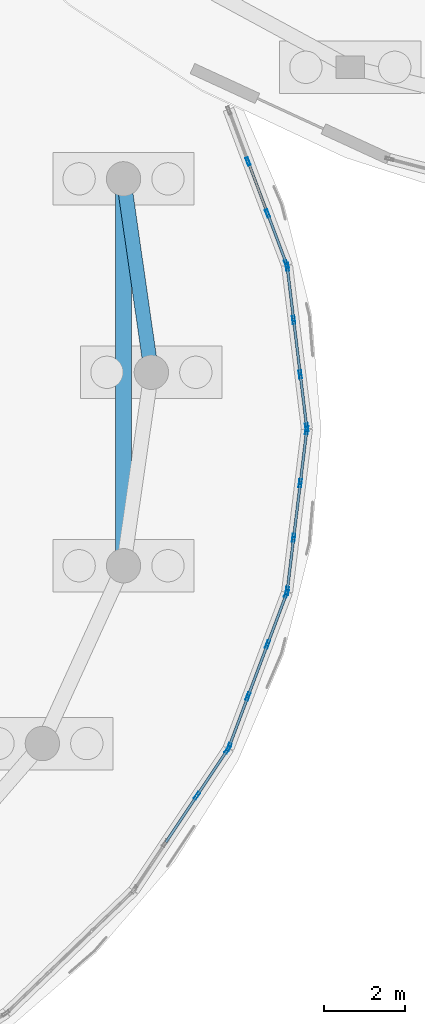
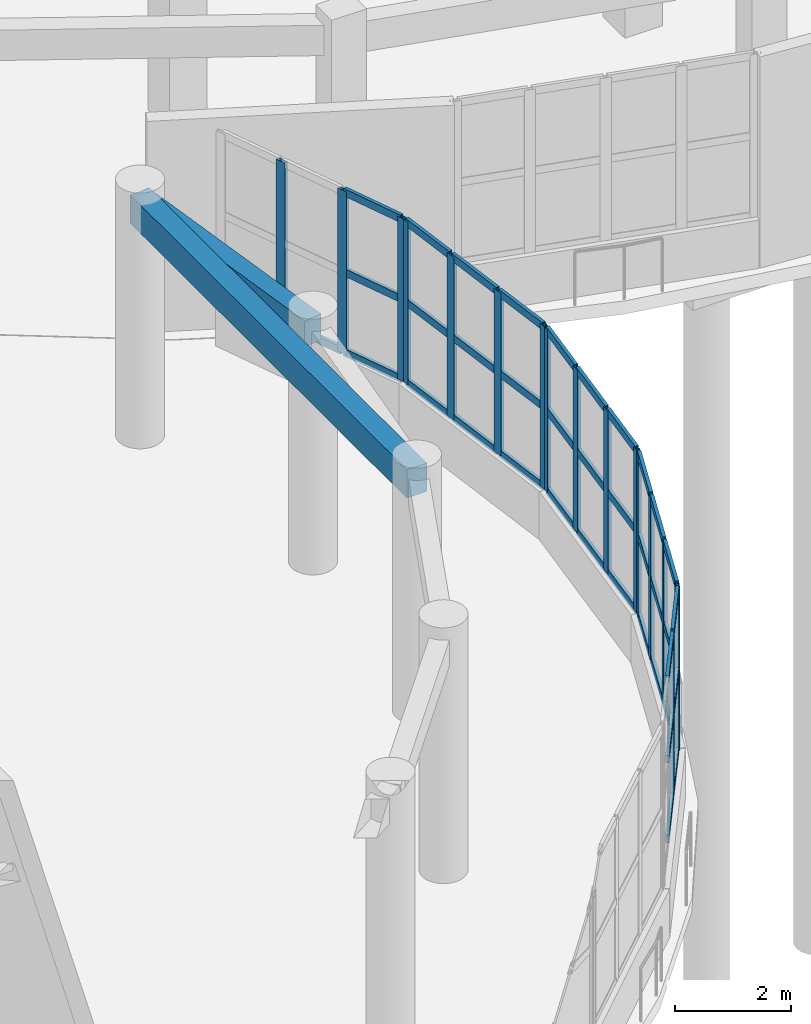
# One storey, part 30 of 96: 54 members, 2 beams, 5 elements without a shape of their own.
"""IFC4 building model written with IfcOpenShell, lengths in metres."""

from ifc_helpers import new_model, si_unit, direction, frame, origin, origin_2d, place, context, subcontext, project, spatial, rectangle, hollow_rectangle, extrude, material, layer, layer_set, material_profile, profile_set, type_object, element, aggregate, save


model = new_model("IFC4")

# Units and contexts
model_context = context("Model", 3, precision=1e-05, world=origin(), true_north=direction((0.0, 1.0)))
body_context = subcontext(model_context, "Body", "Model", "MODEL_VIEW")
ifc_project = project(units=[si_unit("LENGTHUNIT", "METRE"), si_unit("AREAUNIT", "SQUARE_METRE"), si_unit("VOLUMEUNIT", "CUBIC_METRE"), si_unit("PLANEANGLEUNIT", "RADIAN"), si_unit("MASSUNIT", "GRAM", prefix="KILO")], contexts=[model_context])

# Site, building, storey
site_placement = place(None, origin())
site = spatial("IfcSite", under=ifc_project, at=site_placement, CompositionType="ELEMENT")
building_placement = place(site_placement, origin())
building = spatial("IfcBuilding", under=site, at=building_placement, Name="Pelvatis Terrace Science Centre", CompositionType="ELEMENT")
storey_placement = place(building_placement, origin())
storey = spatial("IfcBuildingStorey", under=building, at=storey_placement, Name="L00", CompositionType="ELEMENT", Elevation=0.0)

# Beams
ifc_material_1 = material(Name="Concrete C35/45", Category="concrete")
ifc_material_profile_1 = material_profile(ifc_material_1, rectangle(XDim=0.360107421875, YDim=0.550048828125, at=origin_2d()), Name="RC-BM 360x550")
ifc_profile_set_1 = profile_set([ifc_material_profile_1], Name="Concrete C35/45")
beam_type_1 = type_object("IfcBeamType", Name="BM-RC-360x550", PredefinedType="BEAM", material=ifc_profile_set_1)
beam_1_placement = place(storey_placement, frame((95.0, 54.60009765625, 4.864990234375), z_axis=(-0.142339615489, 0.989817879139, 0.0), x_axis=(-0.989817879139, -0.142339615489, 0.0)))
element("IfcBeam", 1, at=beam_1_placement, inside=storey, type_object=beam_type_1, Name="Beam BM-L00-2202", PredefinedType="BEAM", context=body_context, shape_type="SweptSolid", body=[
    extrude(rectangle(XDim=0.360107421875, YDim=0.550048828125, at=origin_2d()), origin(), (0.0, 0.0, 1.0), 4.838623046875),
])
ifc_material_2 = material(Name="Concrete C35/45", Category="concrete")
ifc_material_profile_2 = material_profile(ifc_material_2, rectangle(XDim=0.39990234375, YDim=0.60009765625, at=origin_2d()), Name="RC-BM 400x600")
ifc_profile_set_2 = profile_set([ifc_material_profile_2], Name="Concrete C35/45")
beam_type_2 = type_object("IfcBeamType", Name="BM-RC-400x600", PredefinedType="BEAM", material=ifc_profile_set_2)
beam_2_placement = place(storey_placement, frame((94.311279296875, 59.389404296875, 4.840087890625), z_axis=(0.0, -1.0, 0.0), x_axis=(1.0, 0.0, 0.0)))
element("IfcBeam", 2, at=beam_2_placement, inside=storey, type_object=beam_type_2, Name="Beam BM-L00-2204", PredefinedType="BEAM", context=body_context, shape_type="SweptSolid", body=[
    extrude(rectangle(XDim=0.39990234375, YDim=0.60009765625, at=origin_2d()), origin(), (0.0, 0.0, 1.0), 9.578857421875),
])

# Curtain wall, members
ifc_material_3 = material(Name="Bronze-anodised aluminium and laminated glass", Category="aluminium")
ifc_layer = layer(ifc_material_3, 0.199951171875)
ifc_layer_set = layer_set([ifc_layer], Name="Bronze-anodised aluminium and laminated glass")
curtain_wall_type = type_object("IfcCurtainWallType", Name="CW-RIBBON-B", PredefinedType="NOTDEFINED", material=ifc_layer_set)
curtain_wall_1_placement = place(storey_placement, origin())
curtain_wall_1 = element("IfcCurtainWall", 3, at=curtain_wall_1_placement, inside=storey, type_object=curtain_wall_type, Name="Ribbon curtain wall CW-043 (L00)", PredefinedType="NOTDEFINED")
ifc_material_4 = material(Name="Bronze-anodised aluminium 6063-T6", Category="aluminium")
ifc_material_profile_3 = material_profile(ifc_material_4, hollow_rectangle(XDim=0.06494140625, YDim=0.199951171875, WallThickness=0.00439453125, at=origin_2d()), Name="ALU-MUL 65x200")
ifc_profile_set_3 = profile_set([ifc_material_profile_3], Name="Bronze-anodised aluminium 6063-T6")
member_type_1 = type_object("IfcMemberType", Name="CWM-65x200", PredefinedType="MULLION", material=ifc_profile_set_3)
member_1_placement = place(storey_placement, frame((98.84619140625, 53.232177734375, 1.02001953125), z_axis=(0.0, 0.0, 1.0), x_axis=(-0.992721157923, -0.120435470735, 0.0)))
member_1 = element("IfcMember", 4, at=member_1_placement, type_object=member_type_1, Name="CW-043 mullion 1", PredefinedType="MULLION", context=body_context, shape_type="SweptSolid", body=[
    extrude(hollow_rectangle(XDim=0.06494140625, YDim=0.199951171875, WallThickness=0.00439453125, at=origin_2d()), origin(), (0.0, 0.0, 1.0), 3.43994140625),
])
member_2_placement = place(storey_placement, frame((98.6865234375, 54.5478515625, 1.02001953125), z_axis=(0.0, 0.0, 1.0), x_axis=(-0.992721157923, -0.120435470735, 0.0)))
member_2 = element("IfcMember", 5, at=member_2_placement, type_object=member_type_1, Name="CW-043 mullion 2", PredefinedType="MULLION", context=body_context, shape_type="SweptSolid", body=[
    extrude(hollow_rectangle(XDim=0.06494140625, YDim=0.199951171875, WallThickness=0.00439453125, at=origin_2d()), origin(), (0.0, 0.0, 1.0), 3.43994140625),
])
member_3_placement = place(storey_placement, frame((98.52294921875, 55.89599609375, 1.02001953125), z_axis=(0.0, 0.0, 1.0), x_axis=(-0.992721157923, -0.120435470735, 0.0)))
member_3 = element("IfcMember", 6, at=member_3_placement, type_object=member_type_1, Name="CW-043 mullion 3", PredefinedType="MULLION", context=body_context, shape_type="SweptSolid", body=[
    extrude(hollow_rectangle(XDim=0.06494140625, YDim=0.199951171875, WallThickness=0.00439453125, at=origin_2d()), origin(), (0.0, 0.0, 1.0), 3.43994140625),
])
member_4_placement = place(storey_placement, frame((98.36328125, 57.211669921875, 1.02001953125), z_axis=(0.0, 0.0, 1.0), x_axis=(-0.992721157923, -0.120435470735, 0.0)))
member_4 = element("IfcMember", 7, at=member_4_placement, type_object=member_type_1, Name="CW-043 mullion 4", PredefinedType="MULLION", context=body_context, shape_type="SweptSolid", body=[
    extrude(hollow_rectangle(XDim=0.06494140625, YDim=0.199951171875, WallThickness=0.00439453125, at=origin_2d()), origin(), (0.0, 0.0, 1.0), 3.43994140625),
])

curtain_wall_2_placement = place(storey_placement, origin())
curtain_wall_2 = element("IfcCurtainWall", 8, at=curtain_wall_2_placement, inside=storey, type_object=curtain_wall_type, Name="Ribbon curtain wall CW-044 (L00)", PredefinedType="NOTDEFINED")
member_5_placement = place(storey_placement, frame((98.347900390625, 57.2744140625, 1.02001953125), z_axis=(0.0, 0.0, 1.0), x_axis=(-0.936318231775, -0.351152628988, 0.0)))
member_5 = element("IfcMember", 9, at=member_5_placement, type_object=member_type_1, Name="CW-044 mullion 1", PredefinedType="MULLION", context=body_context, shape_type="SweptSolid", body=[
    extrude(hollow_rectangle(XDim=0.06494140625, YDim=0.199951171875, WallThickness=0.00439453125, at=origin_2d()), origin(), (0.0, 0.0, 1.0), 3.43994140625),
])
member_6_placement = place(storey_placement, frame((97.8759765625, 58.532958984375, 1.02001953125), z_axis=(0.0, 0.0, 1.0), x_axis=(-0.936318231775, -0.351152628988, 0.0)))
member_6 = element("IfcMember", 10, at=member_6_placement, type_object=member_type_1, Name="CW-044 mullion 2", PredefinedType="MULLION", context=body_context, shape_type="SweptSolid", body=[
    extrude(hollow_rectangle(XDim=0.06494140625, YDim=0.199951171875, WallThickness=0.00439453125, at=origin_2d()), origin(), (0.0, 0.0, 1.0), 3.43994140625),
])
member_7_placement = place(storey_placement, frame((97.392578125, 59.822021484375, 1.02001953125), z_axis=(0.0, 0.0, 1.0), x_axis=(-0.936318231775, -0.351152628988, 0.0)))
member_7 = element("IfcMember", 11, at=member_7_placement, type_object=member_type_1, Name="CW-044 mullion 3", PredefinedType="MULLION", context=body_context, shape_type="SweptSolid", body=[
    extrude(hollow_rectangle(XDim=0.06494140625, YDim=0.199951171875, WallThickness=0.00439453125, at=origin_2d()), origin(), (0.0, 0.0, 1.0), 3.43994140625),
])

curtain_wall_3_placement = place(storey_placement, origin())
curtain_wall_3 = element("IfcCurtainWall", 12, at=curtain_wall_3_placement, inside=storey, type_object=curtain_wall_type, Name="Ribbon curtain wall CW-057 (L00)", PredefinedType="NOTDEFINED")
member_8_placement = place(storey_placement, frame((96.126953125, 44.115234375, 1.02001953125), z_axis=(0.0, 0.0, 1.0), x_axis=(-0.832148441606, 0.554552947095, 0.0)))
member_8 = element("IfcMember", 13, at=member_8_placement, type_object=member_type_1, Name="CW-057 mullion 3", PredefinedType="MULLION", context=body_context, shape_type="SweptSolid", body=[
    extrude(hollow_rectangle(XDim=0.06494140625, YDim=0.199951171875, WallThickness=0.00439453125, at=origin_2d()), origin(), (0.0, 0.0, 1.0), 3.43994140625),
])
member_9_placement = place(storey_placement, frame((96.89111328125, 45.261962890625, 1.02001953125), z_axis=(0.0, 0.0, 1.0), x_axis=(-0.832148441606, 0.554552947095, 0.0)))
member_9 = element("IfcMember", 14, at=member_9_placement, type_object=member_type_1, Name="CW-057 mullion 4", PredefinedType="MULLION", context=body_context, shape_type="SweptSolid", body=[
    extrude(hollow_rectangle(XDim=0.06494140625, YDim=0.199951171875, WallThickness=0.00439453125, at=origin_2d()), origin(), (0.0, 0.0, 1.0), 3.43994140625),
])

curtain_wall_4_placement = place(storey_placement, origin())
curtain_wall_4 = element("IfcCurtainWall", 15, at=curtain_wall_4_placement, inside=storey, type_object=curtain_wall_type, Name="Ribbon curtain wall CW-058 (L00)", PredefinedType="NOTDEFINED")
member_10_placement = place(storey_placement, frame((96.92041015625, 45.3193359375, 1.02001953125), z_axis=(0.0, 0.0, 1.0), x_axis=(-0.936318231775, 0.351152628988, 0.0)))
member_10 = element("IfcMember", 16, at=member_10_placement, type_object=member_type_1, Name="CW-058 mullion 1", PredefinedType="MULLION", context=body_context, shape_type="SweptSolid", body=[
    extrude(hollow_rectangle(XDim=0.06494140625, YDim=0.199951171875, WallThickness=0.00439453125, at=origin_2d()), origin(), (0.0, 0.0, 1.0), 3.43994140625),
])
member_11_placement = place(storey_placement, frame((97.392578125, 46.578125, 1.02001953125), z_axis=(0.0, 0.0, 1.0), x_axis=(-0.936318231775, 0.351152628988, 0.0)))
member_11 = element("IfcMember", 17, at=member_11_placement, type_object=member_type_1, Name="CW-058 mullion 2", PredefinedType="MULLION", context=body_context, shape_type="SweptSolid", body=[
    extrude(hollow_rectangle(XDim=0.06494140625, YDim=0.199951171875, WallThickness=0.00439453125, at=origin_2d()), origin(), (0.0, 0.0, 1.0), 3.43994140625),
])
member_12_placement = place(storey_placement, frame((97.8759765625, 47.8671875, 1.02001953125), z_axis=(0.0, 0.0, 1.0), x_axis=(-0.936318231775, 0.351152628988, 0.0)))
member_12 = element("IfcMember", 18, at=member_12_placement, type_object=member_type_1, Name="CW-058 mullion 3", PredefinedType="MULLION", context=body_context, shape_type="SweptSolid", body=[
    extrude(hollow_rectangle(XDim=0.06494140625, YDim=0.199951171875, WallThickness=0.00439453125, at=origin_2d()), origin(), (0.0, 0.0, 1.0), 3.43994140625),
])
member_13_placement = place(storey_placement, frame((98.347900390625, 49.125732421875, 1.02001953125), z_axis=(0.0, 0.0, 1.0), x_axis=(-0.936318231775, 0.351152628988, 0.0)))
member_13 = element("IfcMember", 19, at=member_13_placement, type_object=member_type_1, Name="CW-058 mullion 4", PredefinedType="MULLION", context=body_context, shape_type="SweptSolid", body=[
    extrude(hollow_rectangle(XDim=0.06494140625, YDim=0.199951171875, WallThickness=0.00439453125, at=origin_2d()), origin(), (0.0, 0.0, 1.0), 3.43994140625),
])

curtain_wall_5_placement = place(storey_placement, origin())
curtain_wall_5 = element("IfcCurtainWall", 20, at=curtain_wall_5_placement, inside=storey, type_object=curtain_wall_type, Name="Ribbon curtain wall CW-059 (L00)", PredefinedType="NOTDEFINED")
member_14_placement = place(storey_placement, frame((98.36328125, 49.1884765625, 1.02001953125), z_axis=(0.0, 0.0, 1.0), x_axis=(-0.992721157923, 0.120435470735, 0.0)))
member_14 = element("IfcMember", 21, at=member_14_placement, type_object=member_type_1, Name="CW-059 mullion 1", PredefinedType="MULLION", context=body_context, shape_type="SweptSolid", body=[
    extrude(hollow_rectangle(XDim=0.06494140625, YDim=0.199951171875, WallThickness=0.00439453125, at=origin_2d()), origin(), (0.0, 0.0, 1.0), 3.43994140625),
])
member_15_placement = place(storey_placement, frame((98.52294921875, 50.504150390625, 1.02001953125), z_axis=(0.0, 0.0, 1.0), x_axis=(-0.992721157923, 0.120435470735, 0.0)))
member_15 = element("IfcMember", 22, at=member_15_placement, type_object=member_type_1, Name="CW-059 mullion 2", PredefinedType="MULLION", context=body_context, shape_type="SweptSolid", body=[
    extrude(hollow_rectangle(XDim=0.06494140625, YDim=0.199951171875, WallThickness=0.00439453125, at=origin_2d()), origin(), (0.0, 0.0, 1.0), 3.43994140625),
])
member_16_placement = place(storey_placement, frame((98.6865234375, 51.85205078125, 1.02001953125), z_axis=(0.0, 0.0, 1.0), x_axis=(-0.992721157923, 0.120435470735, 0.0)))
member_16 = element("IfcMember", 23, at=member_16_placement, type_object=member_type_1, Name="CW-059 mullion 3", PredefinedType="MULLION", context=body_context, shape_type="SweptSolid", body=[
    extrude(hollow_rectangle(XDim=0.06494140625, YDim=0.199951171875, WallThickness=0.00439453125, at=origin_2d()), origin(), (0.0, 0.0, 1.0), 3.43994140625),
])
member_17_placement = place(storey_placement, frame((98.84619140625, 53.167724609375, 1.02001953125), z_axis=(0.0, 0.0, 1.0), x_axis=(-0.992721157923, 0.120435470735, 0.0)))
member_17 = element("IfcMember", 24, at=member_17_placement, type_object=member_type_1, Name="CW-059 mullion 4", PredefinedType="MULLION", context=body_context, shape_type="SweptSolid", body=[
    extrude(hollow_rectangle(XDim=0.06494140625, YDim=0.199951171875, WallThickness=0.00439453125, at=origin_2d()), origin(), (0.0, 0.0, 1.0), 3.43994140625),
])

# Member
ifc_material_5 = material(Name="Bronze-anodised aluminium 6063-T6", Category="aluminium")
ifc_material_profile_4 = material_profile(ifc_material_5, hollow_rectangle(XDim=0.06494140625, YDim=0.159912109375, WallThickness=0.00390625, at=origin_2d()), Name="ALU-TRN 65x160")
ifc_profile_set_4 = profile_set([ifc_material_profile_4], Name="Bronze-anodised aluminium 6063-T6")
member_type_2 = type_object("IfcMemberType", Name="CWT-65x160", PredefinedType="USERDEFINED", material=ifc_profile_set_4)
member_18_placement = place(storey_placement, frame((98.84228515625, 53.2646484375, 1.052490234375), z_axis=(-0.120504940764, 0.992712727455, 0.0), x_axis=(-0.992712727455, -0.120504940764, 0.0)))
member_18 = element("IfcMember", 25, at=member_18_placement, type_object=member_type_2, Name="CW-043 transom 1.1", ObjectType="TRANSOM", PredefinedType="USERDEFINED", context=body_context, shape_type="SweptSolid", body=[
    extrude(hollow_rectangle(XDim=0.06494140625, YDim=0.159912109375, WallThickness=0.00390625, at=origin_2d()), origin(), (0.0, 0.0, 1.0), 1.26025390625),
])

member_19_placement = place(storey_placement, frame((98.84228515625, 53.2646484375, 2.739990234375), z_axis=(-0.120504940764, 0.992712727455, 0.0), x_axis=(-0.992712727455, -0.120504940764, 0.0)))
member_19 = element("IfcMember", 26, at=member_19_placement, type_object=member_type_2, Name="CW-043 transom 1.2", ObjectType="TRANSOM", PredefinedType="USERDEFINED", context=body_context, shape_type="SweptSolid", body=[
    extrude(hollow_rectangle(XDim=0.06494140625, YDim=0.159912109375, WallThickness=0.00390625, at=origin_2d()), origin(), (0.0, 0.0, 1.0), 1.26025390625),
])

member_20_placement = place(storey_placement, frame((98.84228515625, 53.2646484375, 4.427490234375), z_axis=(-0.120504940764, 0.992712727455, 0.0), x_axis=(-0.992712727455, -0.120504940764, 0.0)))
member_20 = element("IfcMember", 27, at=member_20_placement, type_object=member_type_2, Name="CW-043 transom 1.3", ObjectType="TRANSOM", PredefinedType="USERDEFINED", context=body_context, shape_type="SweptSolid", body=[
    extrude(hollow_rectangle(XDim=0.06494140625, YDim=0.159912109375, WallThickness=0.00390625, at=origin_2d()), origin(), (0.0, 0.0, 1.0), 1.26025390625),
])

member_21_placement = place(storey_placement, frame((98.6826171875, 54.580322265625, 1.052490234375), z_axis=(-0.120477992567, 0.992715998313, 0.0), x_axis=(-0.992715998313, -0.120477992567, 0.0)))
member_21 = element("IfcMember", 28, at=member_21_placement, type_object=member_type_2, Name="CW-043 transom 2.1", ObjectType="TRANSOM", PredefinedType="USERDEFINED", context=body_context, shape_type="SweptSolid", body=[
    extrude(hollow_rectangle(XDim=0.06494140625, YDim=0.159912109375, WallThickness=0.00390625, at=origin_2d()), origin(), (0.0, 0.0, 1.0), 1.29296875),
])

member_22_placement = place(storey_placement, frame((98.6826171875, 54.580322265625, 2.739990234375), z_axis=(-0.120477992567, 0.992715998313, 0.0), x_axis=(-0.992715998313, -0.120477992567, 0.0)))
member_22 = element("IfcMember", 29, at=member_22_placement, type_object=member_type_2, Name="CW-043 transom 2.2", ObjectType="TRANSOM", PredefinedType="USERDEFINED", context=body_context, shape_type="SweptSolid", body=[
    extrude(hollow_rectangle(XDim=0.06494140625, YDim=0.159912109375, WallThickness=0.00390625, at=origin_2d()), origin(), (0.0, 0.0, 1.0), 1.29296875),
])

member_23_placement = place(storey_placement, frame((98.6826171875, 54.580322265625, 4.427490234375), z_axis=(-0.120477992567, 0.992715998313, 0.0), x_axis=(-0.992715998313, -0.120477992567, 0.0)))
member_23 = element("IfcMember", 30, at=member_23_placement, type_object=member_type_2, Name="CW-043 transom 2.3", ObjectType="TRANSOM", PredefinedType="USERDEFINED", context=body_context, shape_type="SweptSolid", body=[
    extrude(hollow_rectangle(XDim=0.06494140625, YDim=0.159912109375, WallThickness=0.00390625, at=origin_2d()), origin(), (0.0, 0.0, 1.0), 1.29296875),
])

member_24_placement = place(storey_placement, frame((98.51904296875, 55.92822265625, 1.052490234375), z_axis=(-0.120481768952, 0.992715539996, 0.0), x_axis=(-0.992715539996, -0.120481768952, 0.0)))
member_24 = element("IfcMember", 31, at=member_24_placement, type_object=member_type_2, Name="CW-043 transom 3.1", ObjectType="TRANSOM", PredefinedType="USERDEFINED", context=body_context, shape_type="SweptSolid", body=[
    extrude(hollow_rectangle(XDim=0.06494140625, YDim=0.159912109375, WallThickness=0.00390625, at=origin_2d()), origin(), (0.0, 0.0, 1.0), 1.260498046875),
])

member_25_placement = place(storey_placement, frame((98.51904296875, 55.92822265625, 2.739990234375), z_axis=(-0.120481768952, 0.992715539996, 0.0), x_axis=(-0.992715539996, -0.120481768952, 0.0)))
member_25 = element("IfcMember", 32, at=member_25_placement, type_object=member_type_2, Name="CW-043 transom 3.2", ObjectType="TRANSOM", PredefinedType="USERDEFINED", context=body_context, shape_type="SweptSolid", body=[
    extrude(hollow_rectangle(XDim=0.06494140625, YDim=0.159912109375, WallThickness=0.00390625, at=origin_2d()), origin(), (0.0, 0.0, 1.0), 1.260498046875),
])

member_26_placement = place(storey_placement, frame((98.51904296875, 55.92822265625, 4.427490234375), z_axis=(-0.120481768952, 0.992715539996, 0.0), x_axis=(-0.992715539996, -0.120481768952, 0.0)))
member_26 = element("IfcMember", 33, at=member_26_placement, type_object=member_type_2, Name="CW-043 transom 3.3", ObjectType="TRANSOM", PredefinedType="USERDEFINED", context=body_context, shape_type="SweptSolid", body=[
    extrude(hollow_rectangle(XDim=0.06494140625, YDim=0.159912109375, WallThickness=0.00390625, at=origin_2d()), origin(), (0.0, 0.0, 1.0), 1.260498046875),
])

aggregate(curtain_wall_1, [member_1, member_2, member_3, member_4, member_18, member_19, member_20, member_21, member_22, member_23, member_24, member_25, member_26])

member_27_placement = place(storey_placement, frame((98.336669921875, 57.3046875, 1.052490234375), z_axis=(-0.351165271526, 0.936313490276, 0.0), x_axis=(-0.936313490276, -0.351165271526, 0.0)))
member_27 = element("IfcMember", 34, at=member_27_placement, type_object=member_type_2, Name="CW-044 transom 1.1", ObjectType="TRANSOM", PredefinedType="USERDEFINED", context=body_context, shape_type="SweptSolid", body=[
    extrude(hollow_rectangle(XDim=0.06494140625, YDim=0.159912109375, WallThickness=0.00390625, at=origin_2d()), origin(), (0.0, 0.0, 1.0), 1.279296875),
])

member_28_placement = place(storey_placement, frame((98.336669921875, 57.3046875, 2.739990234375), z_axis=(-0.351165271526, 0.936313490276, 0.0), x_axis=(-0.936313490276, -0.351165271526, 0.0)))
member_28 = element("IfcMember", 35, at=member_28_placement, type_object=member_type_2, Name="CW-044 transom 1.2", ObjectType="TRANSOM", PredefinedType="USERDEFINED", context=body_context, shape_type="SweptSolid", body=[
    extrude(hollow_rectangle(XDim=0.06494140625, YDim=0.159912109375, WallThickness=0.00390625, at=origin_2d()), origin(), (0.0, 0.0, 1.0), 1.279296875),
])

member_29_placement = place(storey_placement, frame((98.336669921875, 57.3046875, 4.427490234375), z_axis=(-0.351165271526, 0.936313490276, 0.0), x_axis=(-0.936313490276, -0.351165271526, 0.0)))
member_29 = element("IfcMember", 36, at=member_29_placement, type_object=member_type_2, Name="CW-044 transom 1.3", ObjectType="TRANSOM", PredefinedType="USERDEFINED", context=body_context, shape_type="SweptSolid", body=[
    extrude(hollow_rectangle(XDim=0.06494140625, YDim=0.159912109375, WallThickness=0.00390625, at=origin_2d()), origin(), (0.0, 0.0, 1.0), 1.279296875),
])

member_30_placement = place(storey_placement, frame((97.864501953125, 58.5634765625, 1.052490234375), z_axis=(-0.35108264082, 0.936344476843, 0.0), x_axis=(-0.936344476843, -0.35108264082, 0.0)))
member_30 = element("IfcMember", 37, at=member_30_placement, type_object=member_type_2, Name="CW-044 transom 2.1", ObjectType="TRANSOM", PredefinedType="USERDEFINED", context=body_context, shape_type="SweptSolid", body=[
    extrude(hollow_rectangle(XDim=0.06494140625, YDim=0.159912109375, WallThickness=0.00390625, at=origin_2d()), origin(), (0.0, 0.0, 1.0), 1.3115234375),
])

aggregate(curtain_wall_2, [member_5, member_6, member_7, member_27, member_28, member_29, member_30])

member_31_placement = place(storey_placement, frame((95.362548828125, 42.968505859375, 1.052490234375), z_axis=(0.554658325037, 0.832078206942, 0.0), x_axis=(-0.832078206942, 0.554658325037, 0.0)))
member_31 = element("IfcMember", 38, at=member_31_placement, type_object=member_type_2, Name="CW-057 transom 2.1", ObjectType="TRANSOM", PredefinedType="USERDEFINED", context=body_context, shape_type="SweptSolid", body=[
    extrude(hollow_rectangle(XDim=0.06494140625, YDim=0.159912109375, WallThickness=0.00390625, at=origin_2d()), origin(), (0.0, 0.0, 1.0), 1.345703125),
])

member_32_placement = place(storey_placement, frame((95.362548828125, 42.968505859375, 2.739990234375), z_axis=(0.554658325037, 0.832078206942, 0.0), x_axis=(-0.832078206942, 0.554658325037, 0.0)))
member_32 = element("IfcMember", 39, at=member_32_placement, type_object=member_type_2, Name="CW-057 transom 2.2", ObjectType="TRANSOM", PredefinedType="USERDEFINED", context=body_context, shape_type="SweptSolid", body=[
    extrude(hollow_rectangle(XDim=0.06494140625, YDim=0.159912109375, WallThickness=0.00390625, at=origin_2d()), origin(), (0.0, 0.0, 1.0), 1.345703125),
])

member_33_placement = place(storey_placement, frame((95.362548828125, 42.968505859375, 4.427490234375), z_axis=(0.554658325037, 0.832078206942, 0.0), x_axis=(-0.832078206942, 0.554658325037, 0.0)))
member_33 = element("IfcMember", 40, at=member_33_placement, type_object=member_type_2, Name="CW-057 transom 2.3", ObjectType="TRANSOM", PredefinedType="USERDEFINED", context=body_context, shape_type="SweptSolid", body=[
    extrude(hollow_rectangle(XDim=0.06494140625, YDim=0.159912109375, WallThickness=0.00390625, at=origin_2d()), origin(), (0.0, 0.0, 1.0), 1.345703125),
])

member_34_placement = place(storey_placement, frame((96.144775390625, 44.142333984375, 1.052490234375), z_axis=(0.554657286391, 0.832078899296, 0.0), x_axis=(-0.832078899296, 0.554657286391, 0.0)))
member_34 = element("IfcMember", 41, at=member_34_placement, type_object=member_type_2, Name="CW-057 transom 3.1", ObjectType="TRANSOM", PredefinedType="USERDEFINED", context=body_context, shape_type="SweptSolid", body=[
    extrude(hollow_rectangle(XDim=0.06494140625, YDim=0.159912109375, WallThickness=0.00390625, at=origin_2d()), origin(), (0.0, 0.0, 1.0), 1.31298828125),
])

member_35_placement = place(storey_placement, frame((96.144775390625, 44.142333984375, 2.739990234375), z_axis=(0.554657286391, 0.832078899296, 0.0), x_axis=(-0.832078899296, 0.554657286391, 0.0)))
member_35 = element("IfcMember", 42, at=member_35_placement, type_object=member_type_2, Name="CW-057 transom 3.2", ObjectType="TRANSOM", PredefinedType="USERDEFINED", context=body_context, shape_type="SweptSolid", body=[
    extrude(hollow_rectangle(XDim=0.06494140625, YDim=0.159912109375, WallThickness=0.00390625, at=origin_2d()), origin(), (0.0, 0.0, 1.0), 1.31298828125),
])

member_36_placement = place(storey_placement, frame((96.144775390625, 44.142333984375, 4.427490234375), z_axis=(0.554657286391, 0.832078899296, 0.0), x_axis=(-0.832078899296, 0.554657286391, 0.0)))
member_36 = element("IfcMember", 43, at=member_36_placement, type_object=member_type_2, Name="CW-057 transom 3.3", ObjectType="TRANSOM", PredefinedType="USERDEFINED", context=body_context, shape_type="SweptSolid", body=[
    extrude(hollow_rectangle(XDim=0.06494140625, YDim=0.159912109375, WallThickness=0.00390625, at=origin_2d()), origin(), (0.0, 0.0, 1.0), 1.31298828125),
])

aggregate(curtain_wall_3, [member_8, member_9, member_31, member_32, member_33, member_34, member_35, member_36])

member_37_placement = place(storey_placement, frame((96.931884765625, 45.349853515625, 1.052490234375), z_axis=(0.351165271526, 0.936313490276, 0.0), x_axis=(-0.936313490276, 0.351165271526, 0.0)))
member_37 = element("IfcMember", 44, at=member_37_placement, type_object=member_type_2, Name="CW-058 transom 1.1", ObjectType="TRANSOM", PredefinedType="USERDEFINED", context=body_context, shape_type="SweptSolid", body=[
    extrude(hollow_rectangle(XDim=0.06494140625, YDim=0.159912109375, WallThickness=0.00390625, at=origin_2d()), origin(), (0.0, 0.0, 1.0), 1.279296875),
])

member_38_placement = place(storey_placement, frame((96.931884765625, 45.349853515625, 2.739990234375), z_axis=(0.351165271526, 0.936313490276, 0.0), x_axis=(-0.936313490276, 0.351165271526, 0.0)))
member_38 = element("IfcMember", 45, at=member_38_placement, type_object=member_type_2, Name="CW-058 transom 1.2", ObjectType="TRANSOM", PredefinedType="USERDEFINED", context=body_context, shape_type="SweptSolid", body=[
    extrude(hollow_rectangle(XDim=0.06494140625, YDim=0.159912109375, WallThickness=0.00390625, at=origin_2d()), origin(), (0.0, 0.0, 1.0), 1.279296875),
])

member_39_placement = place(storey_placement, frame((96.931884765625, 45.349853515625, 4.427490234375), z_axis=(0.351165271526, 0.936313490276, 0.0), x_axis=(-0.936313490276, 0.351165271526, 0.0)))
member_39 = element("IfcMember", 46, at=member_39_placement, type_object=member_type_2, Name="CW-058 transom 1.3", ObjectType="TRANSOM", PredefinedType="USERDEFINED", context=body_context, shape_type="SweptSolid", body=[
    extrude(hollow_rectangle(XDim=0.06494140625, YDim=0.159912109375, WallThickness=0.00390625, at=origin_2d()), origin(), (0.0, 0.0, 1.0), 1.279296875),
])

member_40_placement = place(storey_placement, frame((97.404052734375, 46.6083984375, 1.052490234375), z_axis=(0.351021456195, 0.936367415757, 0.0), x_axis=(-0.936367415757, 0.351021456195, 0.0)))
member_40 = element("IfcMember", 47, at=member_40_placement, type_object=member_type_2, Name="CW-058 transom 2.1", ObjectType="TRANSOM", PredefinedType="USERDEFINED", context=body_context, shape_type="SweptSolid", body=[
    extrude(hollow_rectangle(XDim=0.06494140625, YDim=0.159912109375, WallThickness=0.00390625, at=origin_2d()), origin(), (0.0, 0.0, 1.0), 1.311767578125),
])

member_41_placement = place(storey_placement, frame((97.404052734375, 46.6083984375, 2.739990234375), z_axis=(0.351021456195, 0.936367415757, 0.0), x_axis=(-0.936367415757, 0.351021456195, 0.0)))
member_41 = element("IfcMember", 48, at=member_41_placement, type_object=member_type_2, Name="CW-058 transom 2.2", ObjectType="TRANSOM", PredefinedType="USERDEFINED", context=body_context, shape_type="SweptSolid", body=[
    extrude(hollow_rectangle(XDim=0.06494140625, YDim=0.159912109375, WallThickness=0.00390625, at=origin_2d()), origin(), (0.0, 0.0, 1.0), 1.311767578125),
])

member_42_placement = place(storey_placement, frame((97.404052734375, 46.6083984375, 4.427490234375), z_axis=(0.351021456195, 0.936367415757, 0.0), x_axis=(-0.936367415757, 0.351021456195, 0.0)))
member_42 = element("IfcMember", 49, at=member_42_placement, type_object=member_type_2, Name="CW-058 transom 2.3", ObjectType="TRANSOM", PredefinedType="USERDEFINED", context=body_context, shape_type="SweptSolid", body=[
    extrude(hollow_rectangle(XDim=0.06494140625, YDim=0.159912109375, WallThickness=0.00390625, at=origin_2d()), origin(), (0.0, 0.0, 1.0), 1.311767578125),
])

member_43_placement = place(storey_placement, frame((97.887451171875, 47.8974609375, 1.052490234375), z_axis=(0.351165271526, 0.936313490276, 0.0), x_axis=(-0.936313490276, 0.351165271526, 0.0)))
member_43 = element("IfcMember", 50, at=member_43_placement, type_object=member_type_2, Name="CW-058 transom 3.1", ObjectType="TRANSOM", PredefinedType="USERDEFINED", context=body_context, shape_type="SweptSolid", body=[
    extrude(hollow_rectangle(XDim=0.06494140625, YDim=0.159912109375, WallThickness=0.00390625, at=origin_2d()), origin(), (0.0, 0.0, 1.0), 1.279296875),
])

member_44_placement = place(storey_placement, frame((97.887451171875, 47.8974609375, 2.739990234375), z_axis=(0.351165271526, 0.936313490276, 0.0), x_axis=(-0.936313490276, 0.351165271526, 0.0)))
member_44 = element("IfcMember", 51, at=member_44_placement, type_object=member_type_2, Name="CW-058 transom 3.2", ObjectType="TRANSOM", PredefinedType="USERDEFINED", context=body_context, shape_type="SweptSolid", body=[
    extrude(hollow_rectangle(XDim=0.06494140625, YDim=0.159912109375, WallThickness=0.00390625, at=origin_2d()), origin(), (0.0, 0.0, 1.0), 1.279296875),
])

member_45_placement = place(storey_placement, frame((97.887451171875, 47.8974609375, 4.427490234375), z_axis=(0.351165271526, 0.936313490276, 0.0), x_axis=(-0.936313490276, 0.351165271526, 0.0)))
member_45 = element("IfcMember", 52, at=member_45_placement, type_object=member_type_2, Name="CW-058 transom 3.3", ObjectType="TRANSOM", PredefinedType="USERDEFINED", context=body_context, shape_type="SweptSolid", body=[
    extrude(hollow_rectangle(XDim=0.06494140625, YDim=0.159912109375, WallThickness=0.00390625, at=origin_2d()), origin(), (0.0, 0.0, 1.0), 1.279296875),
])

aggregate(curtain_wall_4, [member_10, member_11, member_12, member_13, member_37, member_38, member_39, member_40, member_41, member_42, member_43, member_44, member_45])

member_46_placement = place(storey_placement, frame((98.3671875, 49.220703125, 1.052490234375), z_axis=(0.120481768952, 0.992715539996, 0.0), x_axis=(-0.992715539996, 0.120481768952, 0.0)))
member_46 = element("IfcMember", 53, at=member_46_placement, type_object=member_type_2, Name="CW-059 transom 1.1", ObjectType="TRANSOM", PredefinedType="USERDEFINED", context=body_context, shape_type="SweptSolid", body=[
    extrude(hollow_rectangle(XDim=0.06494140625, YDim=0.159912109375, WallThickness=0.00390625, at=origin_2d()), origin(), (0.0, 0.0, 1.0), 1.260498046875),
])

member_47_placement = place(storey_placement, frame((98.3671875, 49.220703125, 2.739990234375), z_axis=(0.120481768952, 0.992715539996, 0.0), x_axis=(-0.992715539996, 0.120481768952, 0.0)))
member_47 = element("IfcMember", 54, at=member_47_placement, type_object=member_type_2, Name="CW-059 transom 1.2", ObjectType="TRANSOM", PredefinedType="USERDEFINED", context=body_context, shape_type="SweptSolid", body=[
    extrude(hollow_rectangle(XDim=0.06494140625, YDim=0.159912109375, WallThickness=0.00390625, at=origin_2d()), origin(), (0.0, 0.0, 1.0), 1.260498046875),
])

member_48_placement = place(storey_placement, frame((98.3671875, 49.220703125, 4.427490234375), z_axis=(0.120481768952, 0.992715539996, 0.0), x_axis=(-0.992715539996, 0.120481768952, 0.0)))
member_48 = element("IfcMember", 55, at=member_48_placement, type_object=member_type_2, Name="CW-059 transom 1.3", ObjectType="TRANSOM", PredefinedType="USERDEFINED", context=body_context, shape_type="SweptSolid", body=[
    extrude(hollow_rectangle(XDim=0.06494140625, YDim=0.159912109375, WallThickness=0.00390625, at=origin_2d()), origin(), (0.0, 0.0, 1.0), 1.260498046875),
])

member_49_placement = place(storey_placement, frame((98.52685546875, 50.536376953125, 1.052490234375), z_axis=(0.120477992567, 0.992715998313, 0.0), x_axis=(-0.992715998313, 0.120477992567, 0.0)))
member_49 = element("IfcMember", 56, at=member_49_placement, type_object=member_type_2, Name="CW-059 transom 2.1", ObjectType="TRANSOM", PredefinedType="USERDEFINED", context=body_context, shape_type="SweptSolid", body=[
    extrude(hollow_rectangle(XDim=0.06494140625, YDim=0.159912109375, WallThickness=0.00390625, at=origin_2d()), origin(), (0.0, 0.0, 1.0), 1.29296875),
])

member_50_placement = place(storey_placement, frame((98.52685546875, 50.536376953125, 2.739990234375), z_axis=(0.120477992567, 0.992715998313, 0.0), x_axis=(-0.992715998313, 0.120477992567, 0.0)))
member_50 = element("IfcMember", 57, at=member_50_placement, type_object=member_type_2, Name="CW-059 transom 2.2", ObjectType="TRANSOM", PredefinedType="USERDEFINED", context=body_context, shape_type="SweptSolid", body=[
    extrude(hollow_rectangle(XDim=0.06494140625, YDim=0.159912109375, WallThickness=0.00390625, at=origin_2d()), origin(), (0.0, 0.0, 1.0), 1.29296875),
])

member_51_placement = place(storey_placement, frame((98.52685546875, 50.536376953125, 4.427490234375), z_axis=(0.120477992567, 0.992715998313, 0.0), x_axis=(-0.992715998313, 0.120477992567, 0.0)))
member_51 = element("IfcMember", 58, at=member_51_placement, type_object=member_type_2, Name="CW-059 transom 2.3", ObjectType="TRANSOM", PredefinedType="USERDEFINED", context=body_context, shape_type="SweptSolid", body=[
    extrude(hollow_rectangle(XDim=0.06494140625, YDim=0.159912109375, WallThickness=0.00390625, at=origin_2d()), origin(), (0.0, 0.0, 1.0), 1.29296875),
])

member_52_placement = place(storey_placement, frame((98.6904296875, 51.88427734375, 1.052490234375), z_axis=(0.120481768952, 0.992715539996, 0.0), x_axis=(-0.992715539996, 0.120481768952, 0.0)))
member_52 = element("IfcMember", 59, at=member_52_placement, type_object=member_type_2, Name="CW-059 transom 3.1", ObjectType="TRANSOM", PredefinedType="USERDEFINED", context=body_context, shape_type="SweptSolid", body=[
    extrude(hollow_rectangle(XDim=0.06494140625, YDim=0.159912109375, WallThickness=0.00390625, at=origin_2d()), origin(), (0.0, 0.0, 1.0), 1.260498046875),
])

member_53_placement = place(storey_placement, frame((98.6904296875, 51.88427734375, 2.739990234375), z_axis=(0.120481768952, 0.992715539996, 0.0), x_axis=(-0.992715539996, 0.120481768952, 0.0)))
member_53 = element("IfcMember", 60, at=member_53_placement, type_object=member_type_2, Name="CW-059 transom 3.2", ObjectType="TRANSOM", PredefinedType="USERDEFINED", context=body_context, shape_type="SweptSolid", body=[
    extrude(hollow_rectangle(XDim=0.06494140625, YDim=0.159912109375, WallThickness=0.00390625, at=origin_2d()), origin(), (0.0, 0.0, 1.0), 1.260498046875),
])

member_54_placement = place(storey_placement, frame((98.6904296875, 51.88427734375, 4.427490234375), z_axis=(0.120481768952, 0.992715539996, 0.0), x_axis=(-0.992715539996, 0.120481768952, 0.0)))
member_54 = element("IfcMember", 61, at=member_54_placement, type_object=member_type_2, Name="CW-059 transom 3.3", ObjectType="TRANSOM", PredefinedType="USERDEFINED", context=body_context, shape_type="SweptSolid", body=[
    extrude(hollow_rectangle(XDim=0.06494140625, YDim=0.159912109375, WallThickness=0.00390625, at=origin_2d()), origin(), (0.0, 0.0, 1.0), 1.260498046875),
])

aggregate(curtain_wall_5, [member_14, member_15, member_16, member_17, member_46, member_47, member_48, member_49, member_50, member_51, member_52, member_53, member_54])

save(model, "model.ifc")
